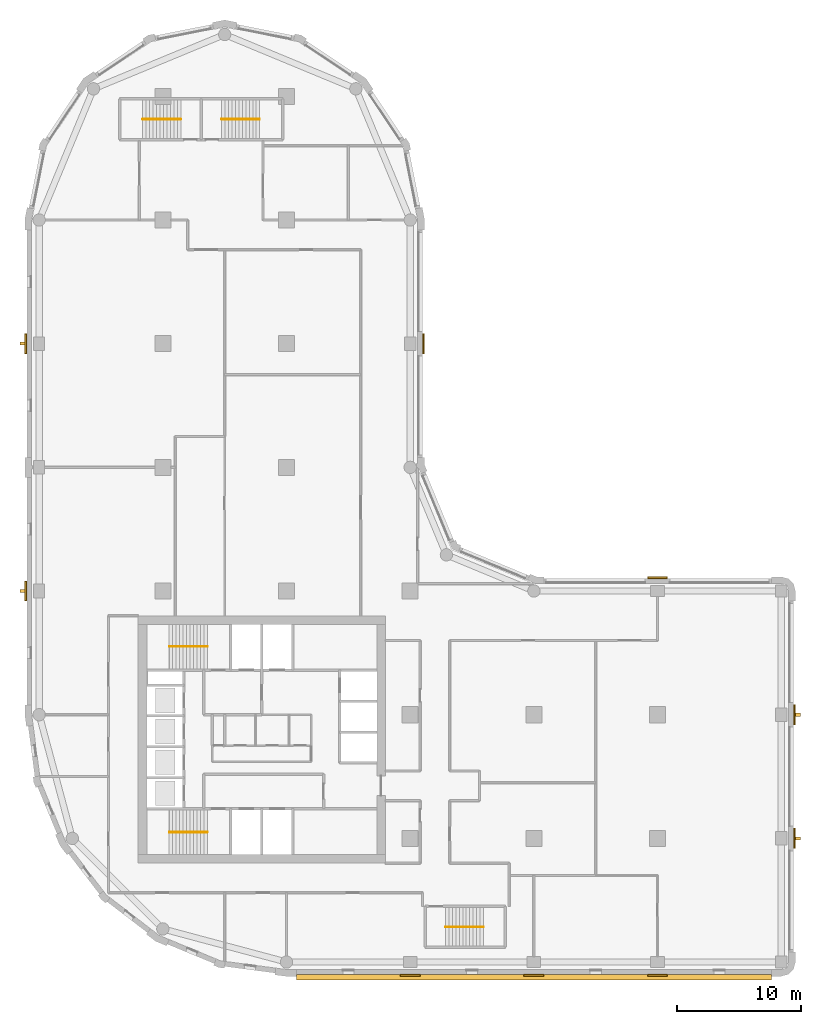
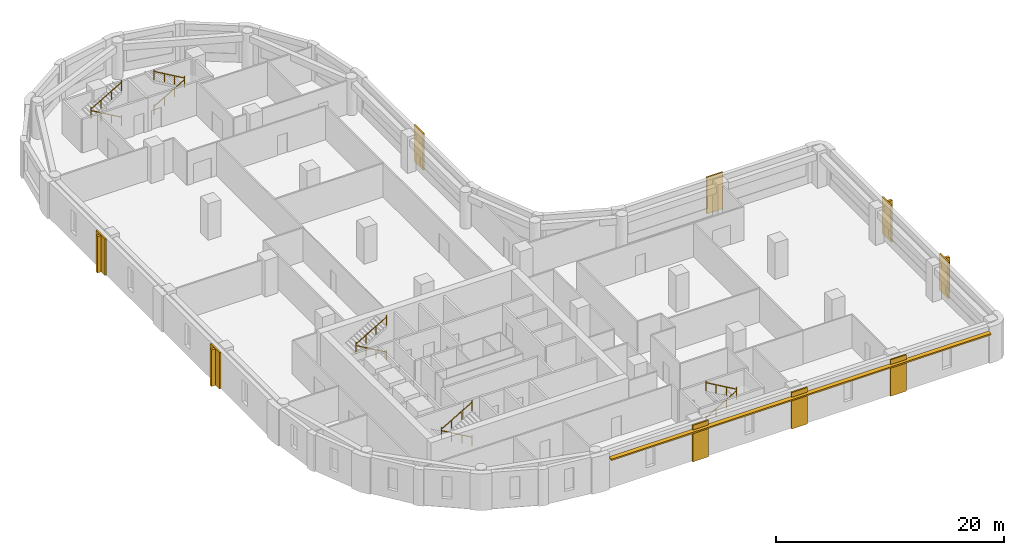
# One storey, part 8 of 9: 10 railings, 9 coverings, 5 shading devices.
"""IFC4 building model written with IfcOpenShell, lengths in metres."""

from ifc_helpers import new_model, si_unit, direction, frame, origin, origin_2d, place, context, subcontext, project, spatial, polyline, rectangle, circle, outline, extrude, material, layer, layer_set, type_object, element, save


model = new_model("IFC4")

# Units and contexts
model_context = context("Model", 3, precision=1e-05, world=origin(), true_north=direction((0.0, 1.0)))
body_context = subcontext(model_context, "Body", "Model", "MODEL_VIEW")
ifc_project = project(units=[si_unit("LENGTHUNIT", "METRE"), si_unit("AREAUNIT", "SQUARE_METRE"), si_unit("VOLUMEUNIT", "CUBIC_METRE"), si_unit("PLANEANGLEUNIT", "RADIAN"), si_unit("MASSUNIT", "GRAM", prefix="KILO")], contexts=[model_context])

# Site, building, storey
site_placement = place(None, origin())
site = spatial("IfcSite", under=ifc_project, at=site_placement, CompositionType="ELEMENT")
building_placement = place(site_placement, origin())
building = spatial("IfcBuilding", under=site, at=building_placement, Name="Qaws Garden Tower", CompositionType="ELEMENT")
storey_placement = place(building_placement, frame((0.0, 0.0, 135.60009765625)))
storey = spatial("IfcBuildingStorey", under=building, at=storey_placement, Name="L32", CompositionType="ELEMENT", Elevation=135.60009765625)

# Coverings
ifc_material_1 = material(Name="Clay facing brick masonry", Category="masonry")
ifc_layer_1 = layer(ifc_material_1, 0.14990234375)
ifc_layer_set_1 = layer_set([ifc_layer_1], Name="Clay facing brick masonry")
covering_type = type_object("IfcCoveringType", Name="Brick pilaster facing 150 x 1600", PredefinedType="CLADDING", material=ifc_layer_set_1)
placement = place(storey_placement, origin())
element("IfcCovering", 1, at=placement, inside=storey, type_object=covering_type, Name="E-L32-pier-01", PredefinedType="CLADDING", context=body_context, shape_type="SweptSolid", body=[
    extrude(outline(polyline([(29.199951171875, -1.0), (30.800048828125, -1.0), (30.800048828125, -1.14990234375), (29.199951171875, -1.14990234375), (29.199951171875, -1.0)])), origin(), (0.0, 0.0, 1.0), 3.89990234375),
])
element("IfcCovering", 2, at=placement, inside=storey, type_object=covering_type, Name="E-L32-pier-02", PredefinedType="CLADDING", context=body_context, shape_type="SweptSolid", body=[
    extrude(outline(polyline([(39.199951171875, -1.0), (40.800048828125, -1.0), (40.800048828125, -1.14990234375), (39.199951171875, -1.14990234375), (39.199951171875, -1.0)])), origin(), (0.0, 0.0, 1.0), 3.89990234375),
])
element("IfcCovering", 3, at=placement, inside=storey, type_object=covering_type, Name="E-L32-pier-03", PredefinedType="CLADDING", context=body_context, shape_type="SweptSolid", body=[
    extrude(outline(polyline([(49.199951171875, -1.0), (50.800048828125, -1.0), (50.800048828125, -1.14990234375), (49.199951171875, -1.14990234375), (49.199951171875, -1.0)])), origin(), (0.0, 0.0, 1.0), 3.89990234375),
])
element("IfcCovering", 4, at=placement, inside=storey, type_object=covering_type, Name="E-L32-pier-05", PredefinedType="CLADDING", context=body_context, shape_type="SweptSolid", body=[
    extrude(outline(polyline([(61.0, 9.199951171875), (61.0, 10.800048828125), (61.14990234375, 10.800048828125), (61.14990234375, 9.199951171875), (61.0, 9.199951171875)])), origin(), (0.0, 0.0, 1.0), 3.89990234375),
])
element("IfcCovering", 5, at=placement, inside=storey, type_object=covering_type, Name="E-L32-pier-06", PredefinedType="CLADDING", context=body_context, shape_type="SweptSolid", body=[
    extrude(outline(polyline([(61.0, 19.199951171875), (61.0, 20.800048828125), (61.14990234375, 20.800048828125), (61.14990234375, 19.199951171875), (61.0, 19.199951171875)])), origin(), (0.0, 0.0, 1.0), 3.89990234375),
])
element("IfcCovering", 6, at=placement, inside=storey, type_object=covering_type, Name="E-L32-pier-08", PredefinedType="CLADDING", context=body_context, shape_type="SweptSolid", body=[
    extrude(outline(polyline([(50.800048828125, 31.0), (49.199951171875, 31.0), (49.199951171875, 31.14990234375), (50.800048828125, 31.14990234375), (50.800048828125, 31.0)])), origin(), (0.0, 0.0, 1.0), 3.89990234375),
])
element("IfcCovering", 7, at=placement, inside=storey, type_object=covering_type, Name="E-L32-pier-12", PredefinedType="CLADDING", context=body_context, shape_type="SweptSolid", body=[
    extrude(outline(polyline([(31.0, 49.199951171875), (31.0, 50.800048828125), (31.14990234375, 50.800048828125), (31.14990234375, 49.199951171875), (31.0, 49.199951171875)])), origin(), (0.0, 0.0, 1.0), 3.89990234375),
])
element("IfcCovering", 8, at=placement, inside=storey, type_object=covering_type, Name="E-L32-pier-22", PredefinedType="CLADDING", context=body_context, shape_type="SweptSolid", body=[
    extrude(outline(polyline([(-1.0, 50.800048828125), (-1.0, 49.199951171875), (-1.14990234375, 49.199951171875), (-1.14990234375, 50.800048828125), (-1.0, 50.800048828125)])), origin(), (0.0, 0.0, 1.0), 3.89990234375),
])
element("IfcCovering", 9, at=placement, inside=storey, type_object=covering_type, Name="E-L32-pier-24", PredefinedType="CLADDING", context=body_context, shape_type="SweptSolid", body=[
    extrude(outline(polyline([(-1.0, 30.800048828125), (-1.0, 29.199951171875), (-1.14990234375, 29.199951171875), (-1.14990234375, 30.800048828125), (-1.0, 30.800048828125)])), origin(), (0.0, 0.0, 1.0), 3.89990234375),
])

# Shading devices
ifc_material_2 = material(Name="Clay facing brick masonry", Category="masonry")
ifc_layer_2 = layer(ifc_material_2, 0.14990234375)
ifc_layer_set_2 = layer_set([ifc_layer_2], Name="Clay facing brick masonry")
shading_device_type_1 = type_object("IfcShadingDeviceType", Name="Brick sunshade band 450 x 150", PredefinedType="JALOUSIE", material=ifc_layer_set_2)
shading_device_placement = place(storey_placement, frame((0.0, 0.0, 3.25)))
element("IfcShadingDevice", 10, at=shading_device_placement, inside=storey, type_object=shading_device_type_1, Name="SUNSHADE 00", PredefinedType="JALOUSIE", context=body_context, shape_type="SweptSolid", body=[
    extrude(outline(polyline([(20.800048828125, -1.0), (20.800048828125, -1.449951171875), (59.199951171875, -1.449951171875), (59.199951171875, -1.0), (50.800048828125, -1.0), (50.800048828125, -1.14990234375), (49.199951171875, -1.14990234375), (49.199951171875, -1.0), (40.800048828125, -1.0), (40.800048828125, -1.14990234375), (39.199951171875, -1.14990234375), (39.199951171875, -1.0), (30.800048828125, -1.0), (30.800048828125, -1.14990234375), (29.199951171875, -1.14990234375), (29.199951171875, -1.0), (20.800048828125, -1.0)])), origin(), (0.0, 0.0, 1.0), 0.14990234375),
])
ifc_material_3 = material(Name="Clay facing brick masonry", Category="masonry")
ifc_layer_3 = layer(ifc_material_3, 0.25)
ifc_layer_set_3 = layer_set([ifc_layer_3], Name="Clay facing brick masonry")
shading_device_type_2 = type_object("IfcShadingDeviceType", Name="Brick-faced fin 250 x 400", PredefinedType="USERDEFINED", material=ifc_layer_set_3)
for number, where, z_axis, x_axis, name in (
    (11, (61.35009765625, 10.0, 0.0), (0.0, 0.0, 1.0), (0.0, 1.0, 0.0), "FIN 05"),
    (12, (61.35009765625, 20.0, 0.0), (0.0, 0.0, 1.0), (0.0, 1.0, 0.0), "FIN 06"),
    (13, (-1.35009765625, 50.0, 0.0), (0.0, 0.0, 1.0), (0.0, -1.0, 0.0), "FIN 22"),
    (14, (-1.35009765625, 30.0, 0.0), (0.0, 0.0, 1.0), (0.0, -1.0, 0.0), "FIN 24"),
):
    element("IfcShadingDevice", number, at=place(storey_placement, frame(where, z_axis=z_axis, x_axis=x_axis)), inside=storey, type_object=shading_device_type_2, Name=name, ObjectType="FIN", PredefinedType="USERDEFINED", context=body_context, shape_type="SweptSolid", body=[
        extrude(rectangle(XDim=0.25, YDim=0.39990234375, at=origin_2d()), origin(), (0.0, 0.0, 1.0), 3.89990234375),
    ])

# Railings
ifc_material_4 = material(Name="Steel S355", Category="steel")
railing_type = type_object("IfcRailingType", Name="Stair handrail 900", PredefinedType="HANDRAIL", material=ifc_material_4)
railing_1_placement = place(storey_placement, frame((13.60009765625, 10.5, 0.162353515625)))
element("IfcRailing", 15, at=railing_1_placement, inside=storey, type_object=railing_type, Name="Stair 1 handrail", PredefinedType="HANDRAIL", context=body_context, shape_type="SweptSolid", body=[
    extrude(circle(Radius=0.02392578125, at=origin_2d()), frame((0.0, 0.0, 0.8759765625), z_axis=(-0.864890721111, 0.0, 0.501960198159), x_axis=(0.0, -1.0, 0.0)), (0.0, 0.0, 1.0), 3.561279296875),
    extrude(circle(Radius=0.02099609375, at=origin_2d()), origin(), (0.0, 0.0, 1.0), 1.06201171875),
    extrude(circle(Radius=0.02099609375, at=origin_2d()), frame((-1.026611328125, 0.0, 0.595947265625)), (0.0, 0.0, 1.0), 0.851806640625),
    extrude(circle(Radius=0.02099609375, at=origin_2d()), frame((-2.053466796875, 0.0, 1.191650390625)), (0.0, 0.0, 1.0), 0.851806640625),
    extrude(circle(Radius=0.02099609375, at=origin_2d()), frame((-3.080078125, 0.0, 1.78759765625)), (0.0, 0.0, 1.0), 1.06201171875),
])
railing_2_placement = place(storey_placement, frame((10.52001953125, 10.5, 2.1123046875)))
element("IfcRailing", 16, at=railing_2_placement, inside=storey, type_object=railing_type, Name="Stair 1 handrail", PredefinedType="HANDRAIL", context=body_context, shape_type="SweptSolid", body=[
    extrude(circle(Radius=0.02392578125, at=origin_2d()), frame((0.0, 0.0, 0.8759765625), z_axis=(0.864890721111, 0.0, 0.501960198159), x_axis=(0.0, 1.0, 0.0)), (0.0, 0.0, 1.0), 3.561279296875),
    extrude(circle(Radius=0.02099609375, at=origin_2d()), origin(), (0.0, 0.0, 1.0), 1.06201171875),
    extrude(circle(Radius=0.02099609375, at=origin_2d()), frame((1.026611328125, 0.0, 0.595947265625)), (0.0, 0.0, 1.0), 0.851806640625),
    extrude(circle(Radius=0.02099609375, at=origin_2d()), frame((2.053466796875, 0.0, 1.191650390625)), (0.0, 0.0, 1.0), 0.851806640625),
    extrude(circle(Radius=0.02099609375, at=origin_2d()), frame((3.080078125, 0.0, 1.78759765625)), (0.0, 0.0, 1.0), 1.06201171875),
])
railing_3_placement = place(storey_placement, frame((13.60009765625, 25.5, 0.162353515625)))
element("IfcRailing", 17, at=railing_3_placement, inside=storey, type_object=railing_type, Name="Stair 4 handrail", PredefinedType="HANDRAIL", context=body_context, shape_type="SweptSolid", body=[
    extrude(circle(Radius=0.02392578125, at=origin_2d()), frame((0.0, 0.0, 0.8759765625), z_axis=(-0.864890721111, 0.0, 0.501960198159), x_axis=(0.0, -1.0, 0.0)), (0.0, 0.0, 1.0), 3.561279296875),
    extrude(circle(Radius=0.02099609375, at=origin_2d()), origin(), (0.0, 0.0, 1.0), 1.06201171875),
    extrude(circle(Radius=0.02099609375, at=origin_2d()), frame((-1.026611328125, 0.0, 0.595947265625)), (0.0, 0.0, 1.0), 0.851806640625),
    extrude(circle(Radius=0.02099609375, at=origin_2d()), frame((-2.053466796875, 0.0, 1.191650390625)), (0.0, 0.0, 1.0), 0.851806640625),
    extrude(circle(Radius=0.02099609375, at=origin_2d()), frame((-3.080078125, 0.0, 1.78759765625)), (0.0, 0.0, 1.0), 1.06201171875),
])
railing_4_placement = place(storey_placement, frame((10.52001953125, 25.5, 2.1123046875)))
element("IfcRailing", 18, at=railing_4_placement, inside=storey, type_object=railing_type, Name="Stair 4 handrail", PredefinedType="HANDRAIL", context=body_context, shape_type="SweptSolid", body=[
    extrude(circle(Radius=0.02392578125, at=origin_2d()), frame((0.0, 0.0, 0.8759765625), z_axis=(0.864890721111, 0.0, 0.501960198159), x_axis=(0.0, 1.0, 0.0)), (0.0, 0.0, 1.0), 3.561279296875),
    extrude(circle(Radius=0.02099609375, at=origin_2d()), origin(), (0.0, 0.0, 1.0), 1.06201171875),
    extrude(circle(Radius=0.02099609375, at=origin_2d()), frame((1.026611328125, 0.0, 0.595947265625)), (0.0, 0.0, 1.0), 0.851806640625),
    extrude(circle(Radius=0.02099609375, at=origin_2d()), frame((2.053466796875, 0.0, 1.191650390625)), (0.0, 0.0, 1.0), 0.851806640625),
    extrude(circle(Radius=0.02099609375, at=origin_2d()), frame((3.080078125, 0.0, 1.78759765625)), (0.0, 0.0, 1.0), 1.06201171875),
])
railing_5_placement = place(storey_placement, frame((32.85009765625, 2.85009765625, 0.162353515625)))
element("IfcRailing", 19, at=railing_5_placement, inside=storey, type_object=railing_type, Name="Stair 5 handrail", PredefinedType="HANDRAIL", context=body_context, shape_type="SweptSolid", body=[
    extrude(circle(Radius=0.02392578125, at=origin_2d()), frame((0.0, 0.0, 0.8759765625), z_axis=(0.864873446163, 0.0, 0.501989962173), x_axis=(0.0, 1.0, 0.0)), (0.0, 0.0, 1.0), 3.56103515625),
    extrude(circle(Radius=0.02099609375, at=origin_2d()), origin(), (0.0, 0.0, 1.0), 1.06201171875),
    extrude(circle(Radius=0.02099609375, at=origin_2d()), frame((1.026611328125, 0.0, 0.595947265625)), (0.0, 0.0, 1.0), 0.851806640625),
    extrude(circle(Radius=0.02099609375, at=origin_2d()), frame((2.05322265625, 0.0, 1.191650390625)), (0.0, 0.0, 1.0), 0.851806640625),
    extrude(circle(Radius=0.02099609375, at=origin_2d()), frame((3.079833984375, 0.0, 1.78759765625)), (0.0, 0.0, 1.0), 1.06201171875),
])
for number, where, name in (
    (20, (35.929931640625, 2.85009765625, 2.1123046875), "Stair 5 handrail"),
    (21, (11.449951171875, 68.14990234375, 0.162353515625), "Stair 6 handrail"),
):
    element("IfcRailing", number, at=place(storey_placement, frame(where)), inside=storey, type_object=railing_type, Name=name, PredefinedType="HANDRAIL", context=body_context, shape_type="SweptSolid", body=[
        extrude(circle(Radius=0.02392578125, at=origin_2d()), frame((0.0, 0.0, 0.8759765625), z_axis=(-0.864873446163, 0.0, 0.501989962173), x_axis=(0.0, -1.0, 0.0)), (0.0, 0.0, 1.0), 3.56103515625),
        extrude(circle(Radius=0.02099609375, at=origin_2d()), origin(), (0.0, 0.0, 1.0), 1.06201171875),
        extrude(circle(Radius=0.02099609375, at=origin_2d()), frame((-1.026611328125, 0.0, 0.595947265625)), (0.0, 0.0, 1.0), 0.851806640625),
        extrude(circle(Radius=0.02099609375, at=origin_2d()), frame((-2.05322265625, 0.0, 1.191650390625)), (0.0, 0.0, 1.0), 0.851806640625),
        extrude(circle(Radius=0.02099609375, at=origin_2d()), frame((-3.079833984375, 0.0, 1.78759765625)), (0.0, 0.0, 1.0), 1.06201171875),
    ])
railing_6_placement = place(storey_placement, frame((8.3701171875, 68.14990234375, 2.1123046875)))
element("IfcRailing", 22, at=railing_6_placement, inside=storey, type_object=railing_type, Name="Stair 6 handrail", PredefinedType="HANDRAIL", context=body_context, shape_type="SweptSolid", body=[
    extrude(circle(Radius=0.02392578125, at=origin_2d()), frame((0.0, 0.0, 0.8759765625), z_axis=(0.864873446163, 0.0, 0.501989962173), x_axis=(0.0, 1.0, 0.0)), (0.0, 0.0, 1.0), 3.56103515625),
    extrude(circle(Radius=0.02099609375, at=origin_2d()), origin(), (0.0, 0.0, 1.0), 1.06201171875),
    extrude(circle(Radius=0.02099609375, at=origin_2d()), frame((1.026611328125, 0.0, 0.595947265625)), (0.0, 0.0, 1.0), 0.851806640625),
    extrude(circle(Radius=0.02099609375, at=origin_2d()), frame((2.05322265625, 0.0, 1.191650390625)), (0.0, 0.0, 1.0), 0.851806640625),
    extrude(circle(Radius=0.02099609375, at=origin_2d()), frame((3.079833984375, 0.0, 1.78759765625)), (0.0, 0.0, 1.0), 1.06201171875),
])
railing_7_placement = place(storey_placement, frame((14.75, 68.14990234375, 0.162353515625)))
element("IfcRailing", 23, at=railing_7_placement, inside=storey, type_object=railing_type, Name="Stair 7 handrail", PredefinedType="HANDRAIL", context=body_context, shape_type="SweptSolid", body=[
    extrude(circle(Radius=0.02392578125, at=origin_2d()), frame((0.0, 0.0, 0.8759765625), z_axis=(0.864890721111, 0.0, 0.501960198159), x_axis=(0.0, 1.0, 0.0)), (0.0, 0.0, 1.0), 3.561279296875),
    extrude(circle(Radius=0.02099609375, at=origin_2d()), origin(), (0.0, 0.0, 1.0), 1.06201171875),
    extrude(circle(Radius=0.02099609375, at=origin_2d()), frame((1.026611328125, 0.0, 0.595947265625)), (0.0, 0.0, 1.0), 0.851806640625),
    extrude(circle(Radius=0.02099609375, at=origin_2d()), frame((2.053466796875, 0.0, 1.191650390625)), (0.0, 0.0, 1.0), 0.851806640625),
    extrude(circle(Radius=0.02099609375, at=origin_2d()), frame((3.080078125, 0.0, 1.78759765625)), (0.0, 0.0, 1.0), 1.06201171875),
])
railing_8_placement = place(storey_placement, frame((17.830078125, 68.14990234375, 2.1123046875)))
element("IfcRailing", 24, at=railing_8_placement, inside=storey, type_object=railing_type, Name="Stair 7 handrail", PredefinedType="HANDRAIL", context=body_context, shape_type="SweptSolid", body=[
    extrude(circle(Radius=0.02392578125, at=origin_2d()), frame((0.0, 0.0, 0.8759765625), z_axis=(-0.864890721111, 0.0, 0.501960198159), x_axis=(0.0, -1.0, 0.0)), (0.0, 0.0, 1.0), 3.561279296875),
    extrude(circle(Radius=0.02099609375, at=origin_2d()), origin(), (0.0, 0.0, 1.0), 1.06201171875),
    extrude(circle(Radius=0.02099609375, at=origin_2d()), frame((-1.026611328125, 0.0, 0.595947265625)), (0.0, 0.0, 1.0), 0.851806640625),
    extrude(circle(Radius=0.02099609375, at=origin_2d()), frame((-2.053466796875, 0.0, 1.191650390625)), (0.0, 0.0, 1.0), 0.851806640625),
    extrude(circle(Radius=0.02099609375, at=origin_2d()), frame((-3.080078125, 0.0, 1.78759765625)), (0.0, 0.0, 1.0), 1.06201171875),
])

save(model, "model.ifc")
